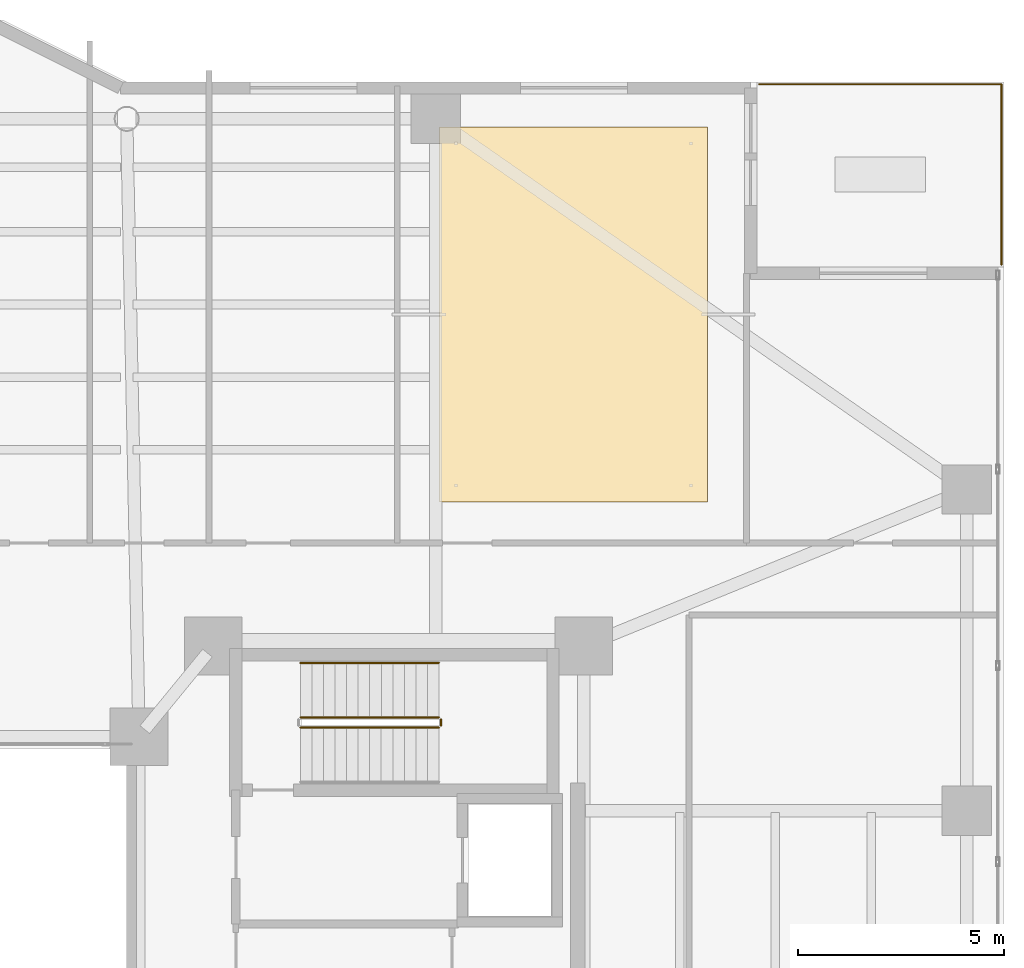
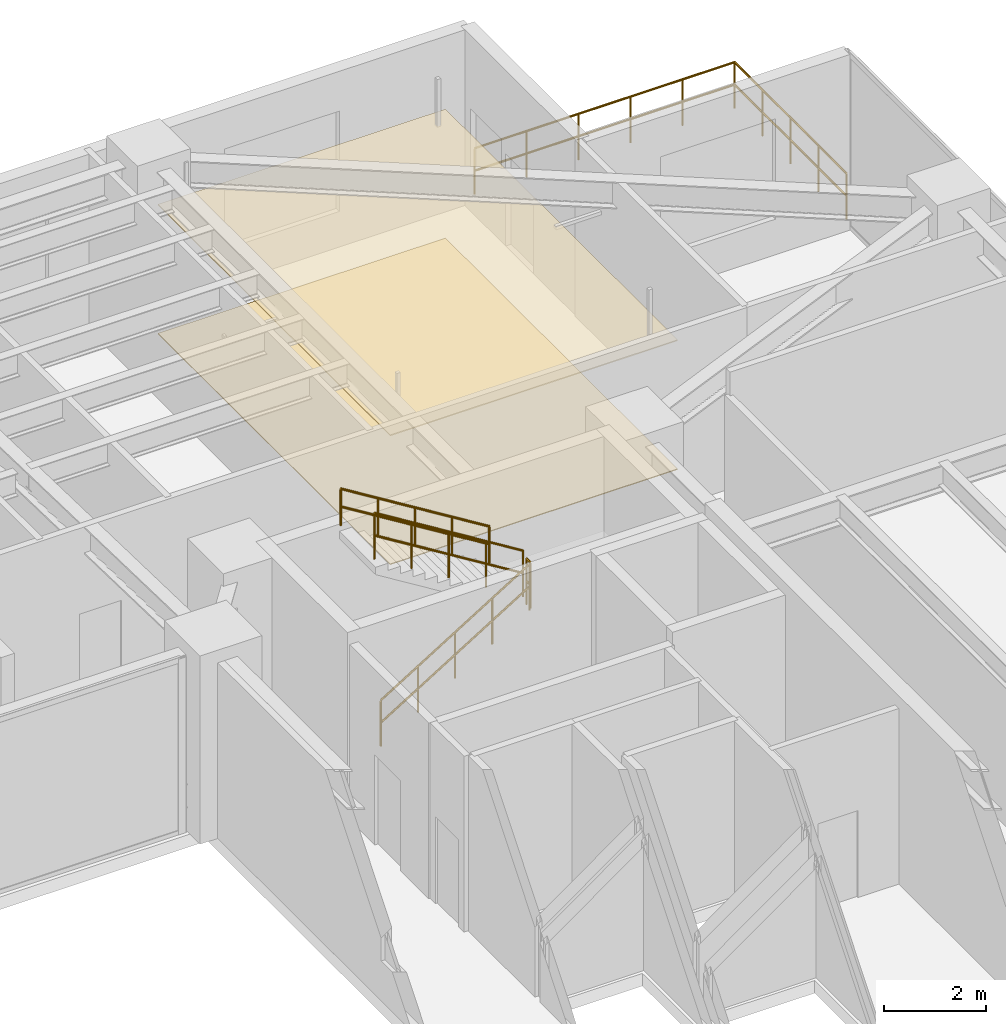
# One storey, part 40 of 40: 6 railings, 2 coverings.
"""IFC4 building model written with IfcOpenShell, lengths in metres."""

from ifc_helpers import new_model, si_unit, direction, frame, origin, origin_2d, place, context, subcontext, project, spatial, polyline, circle, outline, extrude, material, layer, layer_set, type_object, element, save


model = new_model("IFC4")

# Units and contexts
model_context = context("Model", 3, precision=1e-05, world=origin(), true_north=direction((0.0, 1.0)))
body_context = subcontext(model_context, "Body", "Model", "MODEL_VIEW")
ifc_project = project(units=[si_unit("LENGTHUNIT", "METRE"), si_unit("AREAUNIT", "SQUARE_METRE"), si_unit("VOLUMEUNIT", "CUBIC_METRE"), si_unit("PLANEANGLEUNIT", "RADIAN"), si_unit("MASSUNIT", "GRAM", prefix="KILO")], contexts=[model_context])

# Site, building, storey
site_placement = place(None, origin())
site = spatial("IfcSite", under=ifc_project, at=site_placement, CompositionType="ELEMENT")
building_placement = place(site_placement, origin())
building = spatial("IfcBuilding", under=site, at=building_placement, Name="Tarnavaz Court Tower", CompositionType="ELEMENT")
storey_placement = place(building_placement, frame((0.0, 0.0, 64.199951171875)))
storey = spatial("IfcBuildingStorey", under=building, at=storey_placement, Name="L17", CompositionType="ELEMENT", Elevation=64.199951171875)

# Coverings
ifc_material_1 = material(Name="Perforated Gypsum Acoustic Ceiling Tile", Category="masonry")
ifc_layer_1 = layer(ifc_material_1, 0.02490234375)
ifc_layer_set_1 = layer_set([ifc_layer_1], Name="Perforated Gypsum Acoustic Ceiling Tile")
covering_type_1 = type_object("IfcCoveringType", Name="CV-CEIL-AC", PredefinedType="CEILING", material=ifc_layer_set_1)
covering_1_placement = place(storey_placement, frame((0.0, 0.0, 3.080078125)))
element("IfcCovering", 1, at=covering_1_placement, inside=storey, type_object=covering_type_1, Name="L17 L17 Fitness Studio Suspended Acoustic Ceiling", PredefinedType="CEILING", context=body_context, shape_type="SweptSolid", body=[
    extrude(outline(polyline([(15.096923828125, 13.5), (21.60009765625, 13.5), (21.60009765625, 22.60009765625), (15.096923828125, 22.60009765625), (15.096923828125, 13.5)])), origin(), (0.0, 0.0, 1.0), 0.02490234375),
])
ifc_material_2 = material(Name="Glazed Khorasan Porcelain Floor Tile", Category="masonry")
ifc_layer_2 = layer(ifc_material_2, 0.02001953125)
ifc_layer_set_2 = layer_set([ifc_layer_2], Name="Glazed Khorasan Porcelain Floor Tile")
covering_type_2 = type_object("IfcCoveringType", Name="CV-FLR-PORC", PredefinedType="FLOORING", material=ifc_layer_set_2)
covering_2_placement = place(storey_placement, origin())
element("IfcCovering", 2, at=covering_2_placement, inside=storey, type_object=covering_type_2, Name="L17 L17 Fitness Studio Porcelain Floor Finish", PredefinedType="FLOORING", context=body_context, shape_type="SweptSolid", body=[
    extrude(outline(polyline([(15.096923828125, 13.5), (21.60009765625, 13.5), (21.60009765625, 22.60009765625), (15.096923828125, 22.60009765625), (15.096923828125, 13.5)])), origin(), (0.0, 0.0, 1.0), 0.02001953125),
])

# Railings
ifc_material_3 = material(Name="Anodised Aluminium 6063-T6 and Laminated Safety Glass", Category="aluminium")
railing_type_1 = type_object("IfcRailingType", Name="RL-BAL-1120", PredefinedType="BALUSTRADE", material=ifc_material_3)
railing_1_placement = place(storey_placement, frame((28.739990234375, 19.260009765625, 0.0)))
element("IfcRailing", 3, at=railing_1_placement, inside=storey, type_object=railing_type_1, Name="L17 Terrace 1 E Perimeter Balustrade", PredefinedType="BALUSTRADE", context=body_context, shape_type="SweptSolid", body=[
    extrude(circle(Radius=0.02392578125, at=origin_2d()), frame((0.0, 0.0, 1.09619140625), z_axis=(0.0, 1.0, 0.0), x_axis=(-1.0, 0.0, 0.0)), (0.0, 0.0, 1.0), 4.3798828125),
    extrude(circle(Radius=0.02392578125, at=origin_2d()), frame((0.0, 0.0, 0.56005859375), z_axis=(0.0, 1.0, 0.0), x_axis=(-1.0, 0.0, 0.0)), (0.0, 0.0, 1.0), 4.3798828125),
    extrude(circle(Radius=0.02099609375, at=origin_2d()), origin(), (0.0, 0.0, 1.0), 1.072021484375),
    extrude(circle(Radius=0.02099609375, at=origin_2d()), frame((0.0, 1.094970703125, 0.0)), (0.0, 0.0, 1.0), 1.072021484375),
    extrude(circle(Radius=0.02099609375, at=origin_2d()), frame((0.0, 2.18994140625, 0.0)), (0.0, 0.0, 1.0), 1.072021484375),
    extrude(circle(Radius=0.02099609375, at=origin_2d()), frame((0.0, 3.284912109375, 0.0)), (0.0, 0.0, 1.0), 1.072021484375),
    extrude(circle(Radius=0.02099609375, at=origin_2d()), frame((0.0, 4.3798828125, 0.0)), (0.0, 0.0, 1.0), 1.072021484375),
])
railing_2_placement = place(storey_placement, frame((28.739990234375, 23.639892578125, 0.0)))
element("IfcRailing", 4, at=railing_2_placement, inside=storey, type_object=railing_type_1, Name="L17 Terrace 1 N Perimeter Balustrade", PredefinedType="BALUSTRADE", context=body_context, shape_type="SweptSolid", body=[
    extrude(circle(Radius=0.02392578125, at=origin_2d()), frame((0.0, 0.0, 1.09619140625), z_axis=(-1.0, 0.0, 0.0), x_axis=(0.0, -1.0, 0.0)), (0.0, 0.0, 1.0), 5.8798828125),
    extrude(circle(Radius=0.02392578125, at=origin_2d()), frame((0.0, 0.0, 0.56005859375), z_axis=(-1.0, 0.0, 0.0), x_axis=(0.0, -1.0, 0.0)), (0.0, 0.0, 1.0), 5.8798828125),
    extrude(circle(Radius=0.02099609375, at=origin_2d()), origin(), (0.0, 0.0, 1.0), 1.072021484375),
    extrude(circle(Radius=0.02099609375, at=origin_2d()), frame((-1.176025390625, 0.0, 0.0)), (0.0, 0.0, 1.0), 1.072021484375),
    extrude(circle(Radius=0.02099609375, at=origin_2d()), frame((-2.35205078125, 0.0, 0.0)), (0.0, 0.0, 1.0), 1.072021484375),
    extrude(circle(Radius=0.02099609375, at=origin_2d()), frame((-3.52783203125, 0.0, 0.0)), (0.0, 0.0, 1.0), 1.072021484375),
    extrude(circle(Radius=0.02099609375, at=origin_2d()), frame((-4.703857421875, 0.0, 0.0)), (0.0, 0.0, 1.0), 1.072021484375),
    extrude(circle(Radius=0.02099609375, at=origin_2d()), frame((-5.8798828125, 0.0, 0.0)), (0.0, 0.0, 1.0), 1.072021484375),
])
ifc_material_4 = material(Name="Brushed Stainless Steel", Category="steel")
railing_type_2 = type_object("IfcRailingType", Name="RL-HANDRAIL-900", PredefinedType="HANDRAIL", material=ifc_material_4)
railing_3_placement = place(storey_placement, frame((15.080078125, 9.590087890625, 2.423095703125)))
element("IfcRailing", 5, at=railing_3_placement, inside=storey, type_object=railing_type_2, Name="L17 ST-E1 stair handrail 2", PredefinedType="HANDRAIL", context=body_context, shape_type="SweptSolid", body=[
    extrude(circle(Radius=0.02392578125, at=origin_2d()), frame((0.0, 0.0, 0.8759765625), z_axis=(-0.850623216509, 0.0, 0.525775754039), x_axis=(0.0, -1.0, 0.0)), (0.0, 0.0, 1.0), 3.9501953125),
    extrude(circle(Radius=0.02392578125, at=origin_2d()), frame((0.0, 0.0, 0.449951171875), z_axis=(-0.850623216509, 0.0, 0.525775754039), x_axis=(0.0, -1.0, 0.0)), (0.0, 0.0, 1.0), 3.9501953125),
    extrude(circle(Radius=0.02099609375, at=origin_2d()), origin(), (0.0, 0.0, 1.0), 0.851806640625),
    extrude(circle(Radius=0.02099609375, at=origin_2d()), frame((-0.840087890625, 0.0, 0.519287109375)), (0.0, 0.0, 1.0), 0.851806640625),
    extrude(circle(Radius=0.02099609375, at=origin_2d()), frame((-1.68017578125, 0.0, 1.03857421875)), (0.0, 0.0, 1.0), 0.851806640625),
    extrude(circle(Radius=0.02099609375, at=origin_2d()), frame((-2.52001953125, 0.0, 1.5576171875)), (0.0, 0.0, 1.0), 0.851806640625),
    extrude(circle(Radius=0.02099609375, at=origin_2d()), frame((-3.360107421875, 0.0, 2.076904296875)), (0.0, 0.0, 1.0), 0.851806640625),
])
ifc_material_5 = material(Name="Galvanized Painted Tubular Steel", Category="steel")
railing_type_3 = type_object("IfcRailingType", Name="RL-STGUARD-1120", PredefinedType="GUARDRAIL", material=ifc_material_5)
railing_4_placement = place(storey_placement, frame((11.719970703125, 8.02001953125, 0.173095703125)))
element("IfcRailing", 6, at=railing_4_placement, inside=storey, type_object=railing_type_3, Name="L17 ST-E1 stair guard 1", PredefinedType="GUARDRAIL", context=body_context, shape_type="SweptSolid", body=[
    extrude(circle(Radius=0.02392578125, at=origin_2d()), frame((0.0, 0.0, 1.09619140625), z_axis=(0.850623216509, 0.0, 0.525775754039), x_axis=(0.0, 1.0, 0.0)), (0.0, 0.0, 1.0), 3.9501953125),
    extrude(circle(Radius=0.02392578125, at=origin_2d()), frame((0.0, 0.0, 0.56005859375), z_axis=(0.850623216509, 0.0, 0.525775754039), x_axis=(0.0, 1.0, 0.0)), (0.0, 0.0, 1.0), 3.9501953125),
    extrude(circle(Radius=0.02099609375, at=origin_2d()), origin(), (0.0, 0.0, 1.0), 1.072021484375),
    extrude(circle(Radius=0.02099609375, at=origin_2d()), frame((0.840087890625, 0.0, 0.519287109375)), (0.0, 0.0, 1.0), 1.072021484375),
    extrude(circle(Radius=0.02099609375, at=origin_2d()), frame((1.68017578125, 0.0, 1.03857421875)), (0.0, 0.0, 1.0), 1.072021484375),
    extrude(circle(Radius=0.02099609375, at=origin_2d()), frame((2.52001953125, 0.0, 1.5576171875)), (0.0, 0.0, 1.0), 1.072021484375),
    extrude(circle(Radius=0.02099609375, at=origin_2d()), frame((3.360107421875, 0.0, 2.076904296875)), (0.0, 0.0, 1.0), 1.072021484375),
])
railing_5_placement = place(storey_placement, frame((15.1298828125, 8.070068359375, 2.25)))
element("IfcRailing", 7, at=railing_5_placement, inside=storey, type_object=railing_type_3, Name="L17 ST-E1 stair guard 2", PredefinedType="GUARDRAIL", context=body_context, shape_type="SweptSolid", body=[
    extrude(circle(Radius=0.02392578125, at=origin_2d()), frame((0.0, 0.0, 1.09619140625), z_axis=(0.0, 1.0, 0.0), x_axis=(-1.0, 0.0, 0.0)), (0.0, 0.0, 1.0), 0.14990234375),
    extrude(circle(Radius=0.02392578125, at=origin_2d()), frame((0.0, 0.0, 0.56005859375), z_axis=(0.0, 1.0, 0.0), x_axis=(-1.0, 0.0, 0.0)), (0.0, 0.0, 1.0), 0.14990234375),
    extrude(circle(Radius=0.02099609375, at=origin_2d()), origin(), (0.0, 0.0, 1.0), 1.072021484375),
    extrude(circle(Radius=0.02099609375, at=origin_2d()), frame((0.0, 0.14990234375, 0.0)), (0.0, 0.0, 1.0), 1.072021484375),
])
railing_6_placement = place(storey_placement, frame((15.080078125, 8.27001953125, 2.423095703125)))
element("IfcRailing", 8, at=railing_6_placement, inside=storey, type_object=railing_type_3, Name="L17 ST-E1 stair guard 3", PredefinedType="GUARDRAIL", context=body_context, shape_type="SweptSolid", body=[
    extrude(circle(Radius=0.02392578125, at=origin_2d()), frame((0.0, 0.0, 1.09619140625), z_axis=(-0.850623216509, 0.0, 0.525775754039), x_axis=(0.0, -1.0, 0.0)), (0.0, 0.0, 1.0), 3.9501953125),
    extrude(circle(Radius=0.02392578125, at=origin_2d()), frame((0.0, 0.0, 0.56005859375), z_axis=(-0.850623216509, 0.0, 0.525775754039), x_axis=(0.0, -1.0, 0.0)), (0.0, 0.0, 1.0), 3.9501953125),
    extrude(circle(Radius=0.02099609375, at=origin_2d()), origin(), (0.0, 0.0, 1.0), 1.072021484375),
    extrude(circle(Radius=0.02099609375, at=origin_2d()), frame((-0.840087890625, 0.0, 0.519287109375)), (0.0, 0.0, 1.0), 1.072021484375),
    extrude(circle(Radius=0.02099609375, at=origin_2d()), frame((-1.68017578125, 0.0, 1.03857421875)), (0.0, 0.0, 1.0), 1.072021484375),
    extrude(circle(Radius=0.02099609375, at=origin_2d()), frame((-2.52001953125, 0.0, 1.5576171875)), (0.0, 0.0, 1.0), 1.072021484375),
    extrude(circle(Radius=0.02099609375, at=origin_2d()), frame((-3.360107421875, 0.0, 2.076904296875)), (0.0, 0.0, 1.0), 1.072021484375),
])

save(model, "model.ifc")
